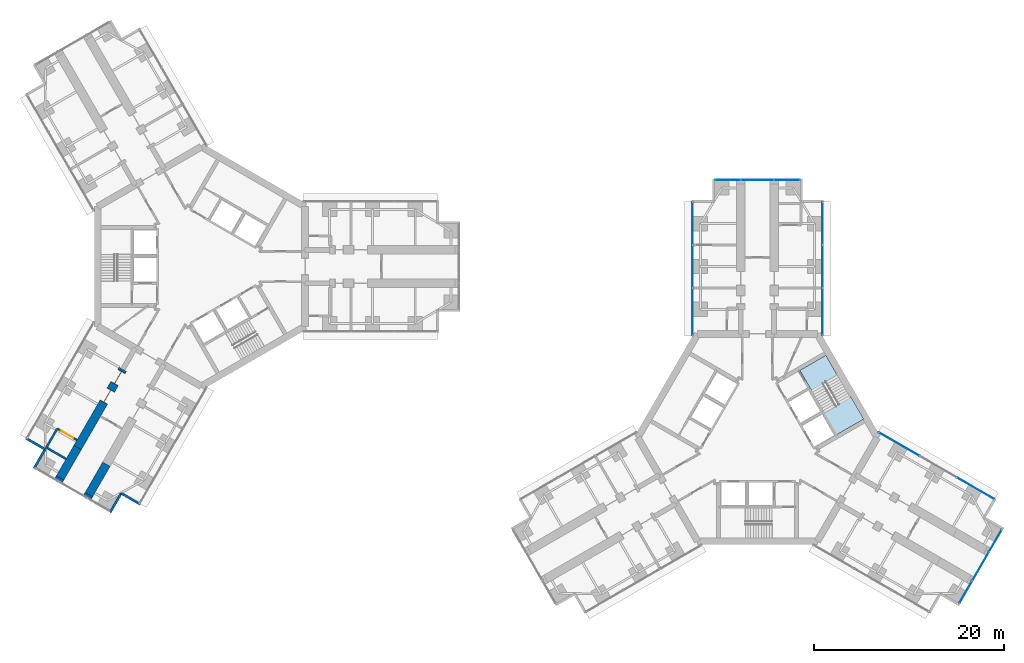
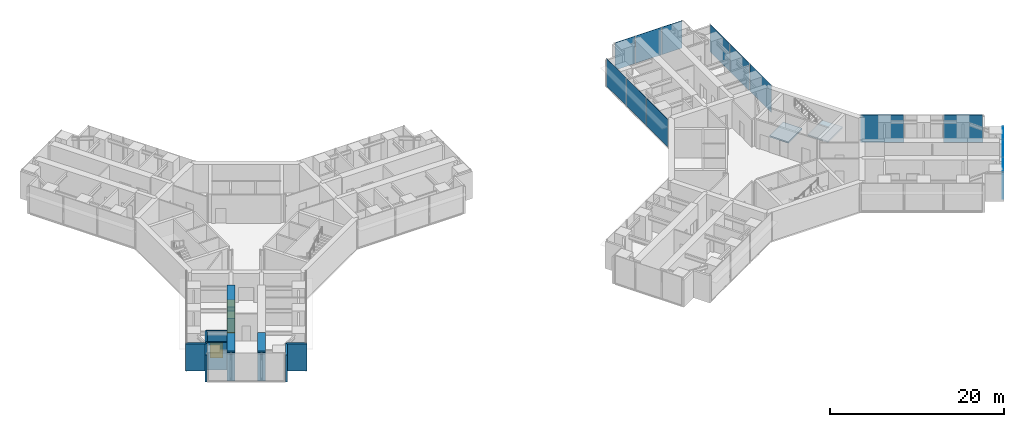
# One storey, part 15 of 23: 14 plates, 12 walls, 3 doors, 2 slabs, 3 openings, 6 elements without a shape of their own.
"""IFC4 building model written with IfcOpenShell, lengths in metres."""

from ifc_helpers import new_model, si_unit, direction, frame, frame_2d, origin, origin_2d, place, context, subcontext, project, spatial, polyline, rectangle, outline, extrude, material, layer, layer_set, type_object, element, fill, aggregate, save


model = new_model("IFC4")

# Units and contexts
model_context = context("Model", 3, precision=1e-05, world=origin(), true_north=direction((0.0, 1.0)))
body_context = subcontext(model_context, "Body", "Model", "MODEL_VIEW")
ifc_project = project(units=[si_unit("LENGTHUNIT", "METRE"), si_unit("AREAUNIT", "SQUARE_METRE"), si_unit("VOLUMEUNIT", "CUBIC_METRE"), si_unit("PLANEANGLEUNIT", "RADIAN"), si_unit("MASSUNIT", "GRAM", prefix="KILO")], contexts=[model_context])

# Site, building, storey
site_placement = place(None, origin())
site = spatial("IfcSite", under=ifc_project, at=site_placement, CompositionType="ELEMENT")
building_placement = place(site_placement, origin())
building = spatial("IfcBuilding", under=site, at=building_placement, Name="Upepo Twin Towers", CompositionType="ELEMENT")
storey_placement = place(building_placement, frame((0.0, 0.0, 28.5)))
storey = spatial("IfcBuildingStorey", under=building, at=storey_placement, Name="L06", CompositionType="ELEMENT", Elevation=28.5)

# Curtain wall, plates
ifc_material_1 = material(Name="Aluminium and fritted glass", Category="aluminium")
curtain_wall_type = type_object("IfcCurtainWallType", Name="Tower curtain wall TW1, fritted glass", PredefinedType="NOTDEFINED", material=ifc_material_1)
curtain_wall_1_placement = place(storey_placement, origin())
curtain_wall_1 = element("IfcCurtainWall", 1, at=curtain_wall_1_placement, inside=storey, type_object=curtain_wall_type, Name="T2 L06 wing A flank L curtain wall", PredefinedType="NOTDEFINED")
ifc_material_2 = material(Name="Ceramic-fritted laminated glass", Category="glass")
ifc_layer_1 = layer(ifc_material_2, 0.031982421875)
ifc_layer_set_1 = layer_set([ifc_layer_1], Name="Fritted glass panel, 20 per cent dot frit, 32 mm double glazed")
plate_type_1 = type_object("IfcPlateType", Name="Fritted glass panel, 20 per cent dot frit, 32 mm double glazed", PredefinedType="CURTAIN_PANEL", material=ifc_layer_set_1)
plate_1_placement = place(storey_placement, frame((51.64990234375, -4.76513671875, 0.14990234375), z_axis=(0.0, 0.0, 1.0), x_axis=(0.0, 1.0, 0.0)))
plate_1 = element("IfcPlate", 2, at=plate_1_placement, type_object=plate_type_1, Name="T2 L06 wing A flank L curtain wall panel 1", PredefinedType="CURTAIN_PANEL", context=body_context, shape_type="SweptSolid", body=[
    extrude(rectangle(XDim=4.96533203125, YDim=0.031982421875, at=origin_2d()), origin(), (0.0, 0.0, 1.0), 3.85009765625),
])
plate_2_placement = place(storey_placement, frame((51.64990234375, 0.0, 0.14990234375), z_axis=(0.0, 0.0, 1.0), x_axis=(0.0, 1.0, 0.0)))
plate_2 = element("IfcPlate", 3, at=plate_2_placement, type_object=plate_type_1, Name="T2 L06 wing A flank L curtain wall panel 2", PredefinedType="CURTAIN_PANEL", context=body_context, shape_type="SweptSolid", body=[
    extrude(rectangle(XDim=4.43505859375, YDim=0.031982421875, at=origin_2d()), origin(), (0.0, 0.0, 1.0), 3.85009765625),
])
plate_3_placement = place(storey_placement, frame((51.64990234375, 4.53369140625, 0.14990234375), z_axis=(0.0, 0.0, 1.0), x_axis=(0.0, 1.0, 0.0)))
plate_3 = element("IfcPlate", 4, at=plate_3_placement, type_object=plate_type_1, Name="T2 L06 wing A flank L curtain wall panel 3", PredefinedType="CURTAIN_PANEL", context=body_context, shape_type="SweptSolid", body=[
    extrude(rectangle(XDim=4.50244140625, YDim=0.031982421875, at=origin_2d()), origin(), (0.0, 0.0, 1.0), 3.85009765625),
])
aggregate(curtain_wall_1, [plate_1, plate_2, plate_3])

curtain_wall_2_placement = place(storey_placement, origin())
curtain_wall_2 = element("IfcCurtainWall", 5, at=curtain_wall_2_placement, inside=storey, type_object=curtain_wall_type, Name="T2 L06 wing A flank R curtain wall", PredefinedType="NOTDEFINED")
plate_4_placement = place(storey_placement, frame((65.35009765625, 4.53369140625, 0.14990234375), z_axis=(0.0, 0.0, 1.0), x_axis=(0.0, -1.0, 0.0)))
plate_4 = element("IfcPlate", 6, at=plate_4_placement, type_object=plate_type_1, Name="T2 L06 wing A flank R curtain wall panel 1", PredefinedType="CURTAIN_PANEL", context=body_context, shape_type="SweptSolid", body=[
    extrude(rectangle(XDim=4.50244140625, YDim=0.031982421875, at=origin_2d()), origin(), (0.0, 0.0, 1.0), 3.85009765625),
])
plate_5_placement = place(storey_placement, frame((65.35009765625, 0.0, 0.14990234375), z_axis=(0.0, 0.0, 1.0), x_axis=(0.0, -1.0, 0.0)))
plate_5 = element("IfcPlate", 7, at=plate_5_placement, type_object=plate_type_1, Name="T2 L06 wing A flank R curtain wall panel 2", PredefinedType="CURTAIN_PANEL", context=body_context, shape_type="SweptSolid", body=[
    extrude(rectangle(XDim=4.43505859375, YDim=0.031982421875, at=origin_2d()), origin(), (0.0, 0.0, 1.0), 3.85009765625),
])
plate_6_placement = place(storey_placement, frame((65.35009765625, -4.76513671875, 0.14990234375), z_axis=(0.0, 0.0, 1.0), x_axis=(0.0, -1.0, 0.0)))
plate_6 = element("IfcPlate", 8, at=plate_6_placement, type_object=plate_type_1, Name="T2 L06 wing A flank R curtain wall panel 3", PredefinedType="CURTAIN_PANEL", context=body_context, shape_type="SweptSolid", body=[
    extrude(rectangle(XDim=4.96533203125, YDim=0.031982421875, at=origin_2d()), origin(), (0.0, 0.0, 1.0), 3.85009765625),
])
aggregate(curtain_wall_2, [plate_4, plate_5, plate_6])

# Curtain wall, plate
curtain_wall_3_placement = place(storey_placement, origin())
curtain_wall_3 = element("IfcCurtainWall", 9, at=curtain_wall_3_placement, inside=storey, type_object=curtain_wall_type, Name="T2 L06 wing A nose curtain wall", PredefinedType="NOTDEFINED")
plate_7_placement = place(storey_placement, frame((58.5, 9.10009765625, 0.14990234375), z_axis=(0.0, 0.0, 1.0), x_axis=(-1.0, 0.0, 0.0)))
plate_7 = element("IfcPlate", 10, at=plate_7_placement, type_object=plate_type_1, Name="T2 L06 wing A nose curtain wall panel 2", PredefinedType="CURTAIN_PANEL", context=body_context, shape_type="SweptSolid", body=[
    extrude(rectangle(XDim=3.43505859375, YDim=0.031982421875, at=origin_2d()), origin(), (0.0, 0.0, 1.0), 3.85009765625),
])

# Curtain wall, plates
curtain_wall_4_placement = place(storey_placement, origin())
curtain_wall_4 = element("IfcCurtainWall", 11, at=curtain_wall_4_placement, inside=storey, type_object=curtain_wall_type, Name="T2 L06 wing C flank L curtain wall", PredefinedType="NOTDEFINED")
plate_8_placement = place(storey_placement, frame((73.38671875, -18.68505859375, 0.14990234375), z_axis=(0.0, 0.0, 1.0), x_axis=(0.866025389682, -0.500000024426, 0.0)))
plate_8 = element("IfcPlate", 12, at=plate_8_placement, type_object=plate_type_1, Name="T2 L06 wing C flank L curtain wall panel 1", PredefinedType="CURTAIN_PANEL", context=body_context, shape_type="SweptSolid", body=[
    extrude(rectangle(XDim=4.96533203125, YDim=0.031982421875, at=origin_2d()), origin(), (0.0, 0.0, 1.0), 3.85009765625),
])
plate_9_placement = place(storey_placement, frame((81.439697265625, -23.334716796875, 0.14990234375), z_axis=(0.0, 0.0, 1.0), x_axis=(0.866025389682, -0.500000024426, 0.0)))
plate_9 = element("IfcPlate", 13, at=plate_9_placement, type_object=plate_type_1, Name="T2 L06 wing C flank L curtain wall panel 3", PredefinedType="CURTAIN_PANEL", context=body_context, shape_type="SweptSolid", body=[
    extrude(rectangle(XDim=4.50244140625, YDim=0.031982421875, at=origin_2d()), origin(), (0.0, 0.0, 1.0), 3.85009765625),
])
aggregate(curtain_wall_4, [plate_8, plate_9])

# Curtain wall, plate
curtain_wall_5_placement = place(storey_placement, origin())
curtain_wall_5 = element("IfcCurtainWall", 14, at=curtain_wall_5_placement, inside=storey, type_object=curtain_wall_type, Name="T2 L06 wing C nose curtain wall", PredefinedType="NOTDEFINED")
plate_10_placement = place(storey_placement, frame((81.96923828125, -31.550048828125, 0.14990234375), z_axis=(0.0, 0.0, 1.0), x_axis=(0.500000030502, 0.866025386174, 0.0)))
plate_10 = element("IfcPlate", 15, at=plate_10_placement, type_object=plate_type_1, Name="T2 L06 wing C nose curtain wall panel 2", PredefinedType="CURTAIN_PANEL", context=body_context, shape_type="SweptSolid", body=[
    extrude(rectangle(XDim=3.43505859375, YDim=0.031982421875, at=origin_2d()), origin(), (0.0, 0.0, 1.0), 3.85009765625),
])

# Plate
ifc_material_3 = material(Name="Clear laminated glass in opening sash", Category="glass")
ifc_layer_2 = layer(ifc_material_3, 0.031982421875)
ifc_layer_set_2 = layer_set([ifc_layer_2], Name="Operable glass panel, 32 mm double glazed")
plate_type_2 = type_object("IfcPlateType", Name="Operable glass panel, 32 mm double glazed", PredefinedType="CURTAIN_PANEL", material=ifc_layer_set_2)
plate_11_placement = place(storey_placement, frame((61.608642578125, 9.10009765625, 0.14990234375), z_axis=(0.0, 0.0, 1.0), x_axis=(-1.0, 0.0, 0.0)))
plate_11 = element("IfcPlate", 16, at=plate_11_placement, type_object=plate_type_2, Name="T2 L06 wing A nose curtain wall panel 1", PredefinedType="CURTAIN_PANEL", context=body_context, shape_type="SweptSolid", body=[
    extrude(rectangle(XDim=2.652587890625, YDim=0.031982421875, at=origin_2d()), origin(), (0.0, 0.0, 1.0), 3.85009765625),
])

plate_12_placement = place(storey_placement, frame((55.391357421875, 9.10009765625, 0.14990234375), z_axis=(0.0, 0.0, 1.0), x_axis=(-1.0, 0.0, 0.0)))
plate_12 = element("IfcPlate", 17, at=plate_12_placement, type_object=plate_type_2, Name="T2 L06 wing A nose curtain wall panel 3", PredefinedType="CURTAIN_PANEL", context=body_context, shape_type="SweptSolid", body=[
    extrude(rectangle(XDim=2.652587890625, YDim=0.031982421875, at=origin_2d()), origin(), (0.0, 0.0, 1.0), 3.85009765625),
])

aggregate(curtain_wall_3, [plate_11, plate_7, plate_12])

plate_13_placement = place(storey_placement, frame((80.414794921875, -34.2421875, 0.14990234375), z_axis=(0.0, 0.0, 1.0), x_axis=(0.500000030502, 0.866025386174, 0.0)))
plate_13 = element("IfcPlate", 18, at=plate_13_placement, type_object=plate_type_2, Name="T2 L06 wing C nose curtain wall panel 1", PredefinedType="CURTAIN_PANEL", context=body_context, shape_type="SweptSolid", body=[
    extrude(rectangle(XDim=2.652587890625, YDim=0.031982421875, at=origin_2d()), origin(), (0.0, 0.0, 1.0), 3.85009765625),
])

plate_14_placement = place(storey_placement, frame((83.523681640625, -28.857666015625, 0.14990234375), z_axis=(0.0, 0.0, 1.0), x_axis=(0.500000030502, 0.866025386174, 0.0)))
plate_14 = element("IfcPlate", 19, at=plate_14_placement, type_object=plate_type_2, Name="T2 L06 wing C nose curtain wall panel 3", PredefinedType="CURTAIN_PANEL", context=body_context, shape_type="SweptSolid", body=[
    extrude(rectangle(XDim=2.652587890625, YDim=0.031982421875, at=origin_2d()), origin(), (0.0, 0.0, 1.0), 3.85009765625),
])

aggregate(curtain_wall_5, [plate_13, plate_10, plate_14])

# Stair, slabs
ifc_material_4 = material(Name="Concrete C40/50", Category="concrete")
stair_type = type_object("IfcStairType", Name="Core stair, two flights", PredefinedType="HALF_TURN_STAIR", material=ifc_material_4)
stair_placement = place(storey_placement, origin())
stair = element("IfcStair", 20, at=stair_placement, inside=storey, type_object=stair_type, Name="T2 stair S2 L06", PredefinedType="HALF_TURN_STAIR")
ifc_material_5 = material(Name="Concrete C40/50", Category="concrete")
ifc_layer_3 = layer(ifc_material_5, 0.199951171875)
ifc_layer_set_3 = layer_set([ifc_layer_3], Name="Concrete C40/50")
slab_type = type_object("IfcSlabType", Name="Stair landing 200 RC", PredefinedType="LANDING", material=ifc_layer_set_3)
slab_1_placement = place(storey_placement, frame((0.0, 0.0, -0.199951171875)))
slab_1 = element("IfcSlab", 21, at=slab_1_placement, type_object=slab_type, Name="Stair S2 landing 1", PredefinedType="LANDING", context=body_context, shape_type="SweptSolid", body=[
    extrude(outline(polyline([(64.198486328125, -13.0703125), (66.933837890625, -11.490966796875), (65.69384765625, -9.34326171875), (62.95849609375, -10.922607421875), (64.198486328125, -13.0703125)])), origin(), (0.0, 0.0, 1.0), 0.199951171875),
])
slab_2_placement = place(storey_placement, frame((0.0, 0.0, 1.800048828125)))
slab_2 = element("IfcSlab", 22, at=slab_2_placement, type_object=slab_type, Name="Stair S2 landing 2", PredefinedType="LANDING", context=body_context, shape_type="SweptSolid", body=[
    extrude(outline(polyline([(66.77197265625, -17.7275390625), (69.680419921875, -16.04833984375), (68.3203125, -13.692626953125), (65.411865234375, -15.371826171875), (66.77197265625, -17.7275390625)])), origin(), (0.0, 0.0, 1.0), 0.199951171875),
])
aggregate(stair, [slab_1, slab_2])

# Wall
ifc_material_6 = material(Name="Concrete blockwork, plastered both faces", Category="masonry")
ifc_layer_4 = layer(ifc_material_6, 0.215087890625)
ifc_layer_set_4 = layer_set([ifc_layer_4], Name="Blockwork partition 215")
wall_type_1 = type_object("IfcWallType", Name="Blockwork partition 215", PredefinedType="PARTITIONING", material=ifc_layer_set_4)
wall_1_placement = place(storey_placement, frame((-15.15869140625, -17.0556640625, 0.0), z_axis=(0.0, 0.0, 1.0), x_axis=(-0.500001309137, -0.866024647952, 0.0)))
element("IfcWall", 23, at=wall_1_placement, inside=storey, type_object=wall_type_1, Name="T1 inner room partition CR at 22.35", PredefinedType="PARTITIONING", context=body_context, shape_type="SweptSolid", body=[
    extrude(rectangle(XDim=2.39990234375, YDim=0.215087890625, at=frame_2d((1.199951171875, 0.0))), origin(), (0.0, 0.0, 1.0), 3.800048828125),
])

# Wall, opening, door
wall_2_placement = place(storey_placement, frame((-13.080322265625, -18.255615234375, 0.0), z_axis=(0.0, 0.0, 1.0), x_axis=(-0.866024647952, 0.500001309137, 0.0)))
wall_2 = element("IfcWall", 24, at=wall_2_placement, inside=storey, type_object=wall_type_1, Name="T1 inner room partition CR end at 22.35", PredefinedType="PARTITIONING", context=body_context, shape_type="SweptSolid", body=[
    extrude(rectangle(XDim=2.39990234375, YDim=0.215087890625, at=frame_2d((1.199951171875, 0.0))), origin(), (0.0, 0.0, 1.0), 3.800048828125),
])
opening_1_placement = place(wall_2_placement, frame((0.449951171875, 0.0, 0.0)))
opening_1 = element("IfcOpeningElement", 25, at=opening_1_placement, cuts=wall_2, Name="Opening D13", PredefinedType="OPENING", context=body_context, shape_type="SweptSolid", body=[
    extrude(rectangle(XDim=1.5, YDim=2.10009765625, at=frame_2d((0.75, 1.050048828125))), frame((0.0, 0.117431640625, 0.0), z_axis=(0.0, -1.0, 0.0), x_axis=(1.0, 0.0, 0.0)), (0.0, 0.0, 1.0), 0.235107421875),
])
ifc_material_7 = material(Name="Timber doorset", Category="wood")
door_type = type_object("IfcDoorType", Name="Double door 1500 FD30", OperationType="DOUBLE_DOOR_SINGLE_SWING", PredefinedType="DOOR", material=ifc_material_7)
door_1_placement = place(opening_1_placement, origin())
door_1 = element("IfcDoor", 26, at=door_1_placement, inside=storey, type_object=door_type, Name="T1 L06 inner room door", OperationType="DOUBLE_DOOR_SINGLE_SWING", OverallHeight=2.10009765625, OverallWidth=1.5, PredefinedType="DOOR", context=body_context, shape_type="SweptSolid", body=[
    extrude(rectangle(XDim=1.5, YDim=2.10009765625, at=frame_2d((0.75, 1.050048828125))), frame((0.0, 0.02490234375, 0.0), z_axis=(0.0, -1.0, 0.0), x_axis=(1.0, 0.0, 0.0)), (0.0, 0.0, 1.0), 0.050048828125),
])
fill(opening_1, door_1)

# Walls
wall_3_placement = place(storey_placement, frame((-14.2265625, -20.240966796875, 0.0), z_axis=(0.0, 0.0, 1.0), x_axis=(-0.866024647952, 0.500001309137, 0.0)))
element("IfcWall", 27, at=wall_3_placement, inside=storey, type_object=wall_type_1, Name="T1 inner room partition CR end at 24.75", PredefinedType="PARTITIONING", context=body_context, shape_type="SweptSolid", body=[
    extrude(rectangle(XDim=2.39990234375, YDim=0.215087890625, at=frame_2d((1.199951171875, 0.0))), origin(), (0.0, 0.0, 1.0), 3.800048828125),
])
ifc_material_8 = material(Name="Dense concrete blockwork", Category="masonry")
ifc_layer_5 = layer(ifc_material_8, 0.89990234375)
ifc_layer_set_5 = layer_set([ifc_layer_5], Name="Buttress closer 900, blockwork with fire-stopping to the curtain wall")
wall_type_2 = type_object("IfcWallType", Name="Buttress closer 900, blockwork with fire-stopping to the curtain wall", PredefinedType="PARTITIONING", material=ifc_layer_set_5)
for number, where, z_axis, x_axis, name in (
    (28, (-11.83447265625, -23.997802734375, 0.0), (0.0, 0.0, 1.0), (-0.499949632511, -0.866054481515, 0.0), "T1 L06 wing C buttress closer L"),
    (29, (-14.865478515625, -22.247802734375, 0.0), (0.0, 0.0, 1.0), (-0.499949632511, -0.866054481515, 0.0), "T1 L06 wing C buttress closer R"),
):
    element("IfcWall", number, at=place(storey_placement, frame(where, z_axis=z_axis, x_axis=x_axis)), inside=storey, type_object=wall_type_2, Name=name, PredefinedType="PARTITIONING", context=body_context, shape_type="SweptSolid", body=[
        extrude(rectangle(XDim=0.31005859375, YDim=0.89990234375, at=frame_2d((0.155029296875, 0.0))), origin(), (0.0, 0.0, 1.0), 3.800048828125),
    ])
ifc_material_9 = material(Name="Concrete C60/75", Category="concrete")
ifc_layer_6 = layer(ifc_material_9, 0.89990234375)
ifc_layer_set_6 = layer_set([ifc_layer_6], Name="Concrete C60/75")
wall_type_3 = type_object("IfcWallType", Name="Buttress wall 900 RC", PredefinedType="SHEAR", material=ifc_layer_set_6)
wall_4_placement = place(storey_placement, frame((-9.984375, -20.793701171875, 0.0), z_axis=(0.0, 0.0, 1.0), x_axis=(-0.500042316284, -0.866000971088, 0.0)))
element("IfcWall", 30, at=wall_4_placement, inside=storey, type_object=wall_type_3, Name="T1 wing C buttress wall L part 3", PredefinedType="SHEAR", context=body_context, shape_type="SweptSolid", body=[
    extrude(rectangle(XDim=3.699951171875, YDim=0.89990234375, at=frame_2d((1.85009765625, 0.0))), origin(), (0.0, 0.0, 1.0), 4.0),
])

# Wall, openings, doors
wall_5_placement = place(storey_placement, frame((-8.265625, -10.81640625, 0.0), z_axis=(0.0, 0.0, 1.0), x_axis=(-0.499997557548, -0.86602681393, 0.0)))
wall_5 = element("IfcWall", 31, at=wall_5_placement, inside=storey, type_object=wall_type_3, Name="T1 wing C buttress wall R part 2", PredefinedType="SHEAR", context=body_context, shape_type="SweptSolid", body=[
    extrude(rectangle(XDim=9.5, YDim=0.89990234375, at=frame_2d((4.75, 0.0))), origin(), (0.0, 0.0, 1.0), 4.0),
])
opening_2_placement = place(wall_5_placement, frame((0.25, 0.0, 0.0)))
opening_2 = element("IfcOpeningElement", 32, at=opening_2_placement, cuts=wall_5, Name="Opening D13", PredefinedType="OPENING", context=body_context, shape_type="SweptSolid", body=[
    extrude(rectangle(XDim=1.5, YDim=2.10009765625, at=frame_2d((0.75, 1.050048828125))), frame((0.0, 0.4599609375, 0.0), z_axis=(0.0, -1.0, 0.0), x_axis=(1.0, 0.0, 0.0)), (0.0, 0.0, 1.0), 0.919921875),
])
opening_3_placement = place(wall_5_placement, frame((2.5, 0.0, 0.0)))
opening_3 = element("IfcOpeningElement", 33, at=opening_3_placement, cuts=wall_5, Name="Opening D13", PredefinedType="OPENING", context=body_context, shape_type="SweptSolid", body=[
    extrude(rectangle(XDim=1.5, YDim=2.10009765625, at=frame_2d((0.75, 1.050048828125))), frame((0.0, 0.4599609375, 0.0), z_axis=(0.0, -1.0, 0.0), x_axis=(1.0, 0.0, 0.0)), (0.0, 0.0, 1.0), 0.919921875),
])
door_2_placement = place(opening_2_placement, origin())
door_2 = element("IfcDoor", 34, at=door_2_placement, inside=storey, type_object=door_type, Name="T1 L06 teaching laboratory door", OperationType="DOUBLE_DOOR_SINGLE_SWING", OverallHeight=2.10009765625, OverallWidth=1.5, PredefinedType="DOOR", context=body_context, shape_type="SweptSolid", body=[
    extrude(rectangle(XDim=1.42, YDim=2.06009765625, at=frame_2d((0.75, 1.030029296875))), frame((0.0, 0.02490234375, 0.0), z_axis=(0.0, -1.0, 0.0), x_axis=(1.0, 0.0, 0.0)), (0.0, 0.0, 1.0), 0.050048828125),
    extrude(rectangle(XDim=0.04, YDim=2.10009765625, at=frame_2d((0.02001953125, 1.050048828125))), frame((0.0, 0.44970703125, 0.0), z_axis=(0.0, -1.0, 0.0), x_axis=(1.0, 0.0, 0.0)), (0.0, 0.0, 1.0), 0.8994140625),
    extrude(rectangle(XDim=0.04, YDim=2.10009765625, at=frame_2d((1.47998046875, 1.050048828125))), frame((0.0, 0.44970703125, 0.0), z_axis=(0.0, -1.0, 0.0), x_axis=(1.0, 0.0, 0.0)), (0.0, 0.0, 1.0), 0.8994140625),
    extrude(rectangle(XDim=1.42, YDim=0.04, at=frame_2d((0.75, 2.080078125))), frame((0.0, 0.44970703125, 0.0), z_axis=(0.0, -1.0, 0.0), x_axis=(1.0, 0.0, 0.0)), (0.0, 0.0, 1.0), 0.8994140625),
])
fill(opening_2, door_2)
door_3_placement = place(opening_3_placement, origin())
door_3 = element("IfcDoor", 35, at=door_3_placement, inside=storey, type_object=door_type, Name="T1 L06 teaching laboratory door", OperationType="DOUBLE_DOOR_SINGLE_SWING", OverallHeight=2.10009765625, OverallWidth=1.5, PredefinedType="DOOR", context=body_context, shape_type="SweptSolid", body=[
    extrude(rectangle(XDim=1.42, YDim=2.06009765625, at=frame_2d((0.75, 1.030029296875))), frame((0.0, 0.02490234375, 0.0), z_axis=(0.0, -1.0, 0.0), x_axis=(1.0, 0.0, 0.0)), (0.0, 0.0, 1.0), 0.050048828125),
    extrude(rectangle(XDim=0.04, YDim=2.10009765625, at=frame_2d((0.02001953125, 1.050048828125))), frame((0.0, 0.44970703125, 0.0), z_axis=(0.0, -1.0, 0.0), x_axis=(1.0, 0.0, 0.0)), (0.0, 0.0, 1.0), 0.8994140625),
    extrude(rectangle(XDim=0.04, YDim=2.10009765625, at=frame_2d((1.47998046875, 1.050048828125))), frame((0.0, 0.44970703125, 0.0), z_axis=(0.0, -1.0, 0.0), x_axis=(1.0, 0.0, 0.0)), (0.0, 0.0, 1.0), 0.8994140625),
    extrude(rectangle(XDim=1.42, YDim=0.04, at=frame_2d((0.75, 2.080078125))), frame((0.0, 0.44970703125, 0.0), z_axis=(0.0, -1.0, 0.0), x_axis=(1.0, 0.0, 0.0)), (0.0, 0.0, 1.0), 0.8994140625),
])
fill(opening_3, door_3)

# Walls
wall_6_placement = place(storey_placement, frame((-13.015625, -19.043701171875, 0.0), z_axis=(0.0, 0.0, 1.0), x_axis=(-0.499992827086, -0.866029545028, 0.0)))
element("IfcWall", 36, at=wall_6_placement, inside=storey, type_object=wall_type_3, Name="T1 wing C buttress wall R part 3", PredefinedType="SHEAR", context=body_context, shape_type="SweptSolid", body=[
    extrude(rectangle(XDim=3.69970703125, YDim=0.89990234375, at=frame_2d((1.849853515625, 0.0))), origin(), (0.0, 0.0, 1.0), 4.0),
])
ifc_material_10 = material(Name="Blockwork with anodised aluminium cladding", Category="masonry")
ifc_layer_7 = layer(ifc_material_10, 0.25)
ifc_layer_set_7 = layer_set([ifc_layer_7], Name="Notch cladding wall 250, pale metal")
wall_type_4 = type_object("IfcWallType", Name="Notch cladding wall 250, pale metal", PredefinedType="STANDARD", material=ifc_layer_set_7)
for number, where, z_axis, x_axis, name in (
    (37, (-6.418701171875, -25.017333984375, 0.0), (0.0, 0.0, 1.0), (-0.866043940782, 0.499967891604, 0.0), "T1 L06 wing C notch wall L1"),
    (38, (-8.43212890625, -23.85498046875, 0.0), (0.0, 0.0, 1.0), (-0.500046648681, -0.865998469481, 0.0), "T1 L06 wing C notch wall L2"),
    (39, (-18.456298828125, -18.0673828125, 0.0), (0.0, 0.0, 1.0), (0.865998469481, -0.500046648681, 0.0), "T1 L06 wing C notch wall R1"),
    (40, (-16.44287109375, -19.22998046875, 0.0), (0.0, 0.0, 1.0), (-0.500046648681, -0.865998469481, 0.0), "T1 L06 wing C notch wall R2"),
):
    element("IfcWall", number, at=place(storey_placement, frame(where, z_axis=z_axis, x_axis=x_axis)), inside=storey, type_object=wall_type_4, Name=name, PredefinedType="STANDARD", context=body_context, shape_type="SweptSolid", body=[
        extrude(rectangle(XDim=2.324951171875, YDim=0.25, at=frame_2d((1.16259765625, 0.0))), origin(), (0.0, 0.0, 1.0), 3.800048828125),
    ])

save(model, "model.ifc")
